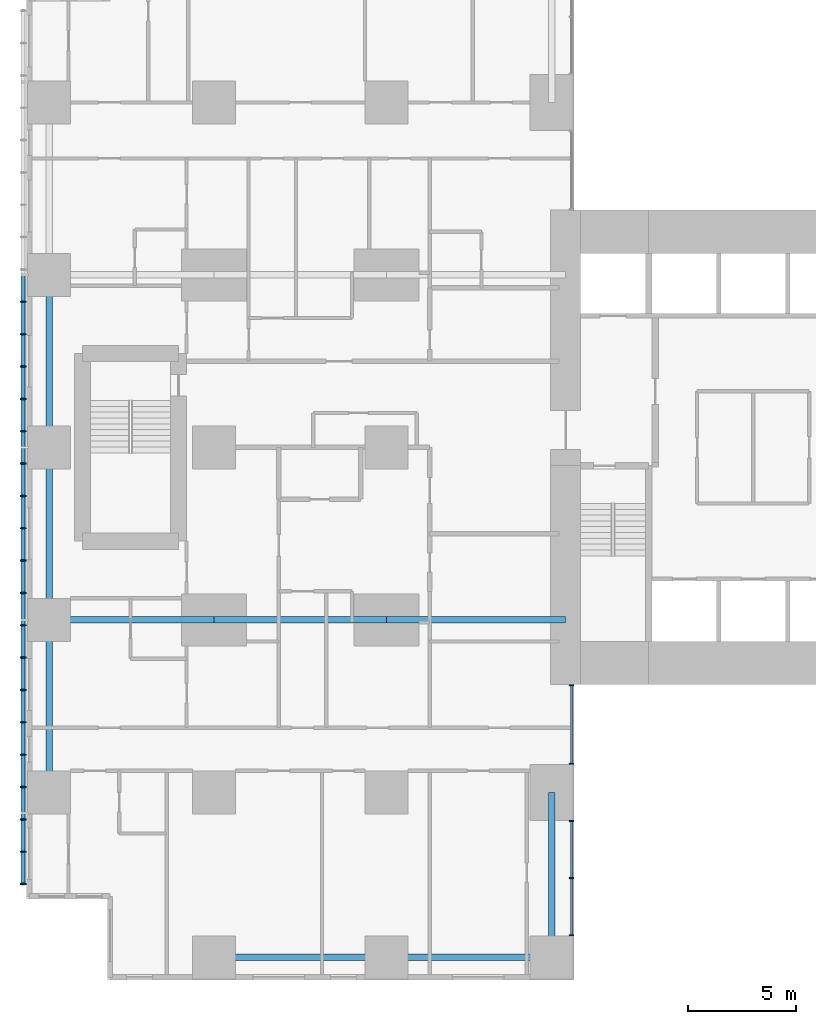
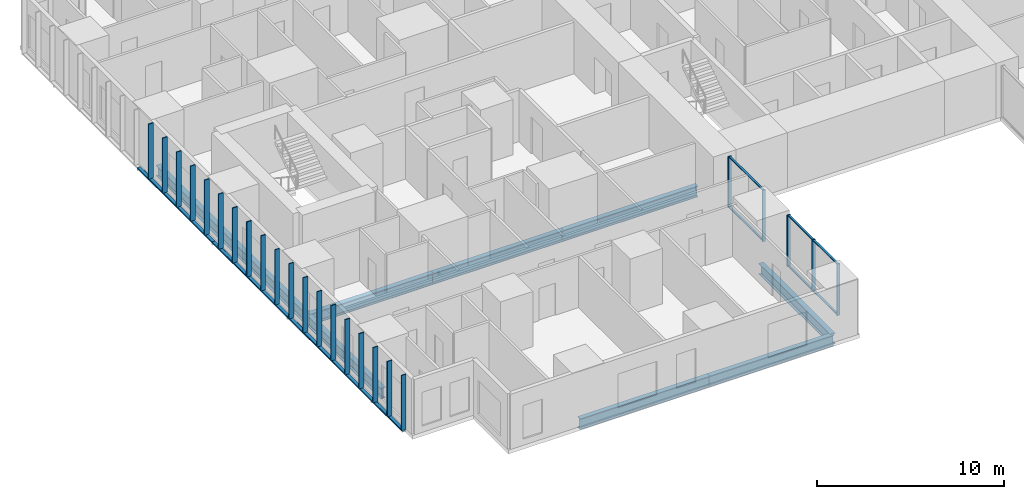
# One storey, part 2 of 20: 33 members, 9 beams, 2 elements without a shape of their own.
"""IFC4 building model written with IfcOpenShell, lengths in metres."""

from ifc_helpers import new_model, si_unit, direction, frame, origin, origin_2d, place, context, subcontext, project, spatial, rectangle, hollow_rectangle, i_section, extrude, material, layer, layer_set, material_profile, profile_set, type_object, element, aggregate, save


model = new_model("IFC4")

# Units and contexts
model_context = context("Model", 3, precision=1e-05, world=origin(), true_north=direction((0.0, 1.0)))
body_context = subcontext(model_context, "Body", "Model", "MODEL_VIEW")
ifc_project = project(units=[si_unit("LENGTHUNIT", "METRE"), si_unit("AREAUNIT", "SQUARE_METRE"), si_unit("VOLUMEUNIT", "CUBIC_METRE"), si_unit("PLANEANGLEUNIT", "RADIAN"), si_unit("MASSUNIT", "GRAM", prefix="KILO")], contexts=[model_context])

# Site, building, storey
site_placement = place(None, origin())
site = spatial("IfcSite", under=ifc_project, at=site_placement, CompositionType="ELEMENT")
building_placement = place(site_placement, origin())
building = spatial("IfcBuilding", under=site, at=building_placement, Name="Cleftline Residences", CompositionType="ELEMENT")
storey_placement = place(building_placement, frame((0.0, 0.0, 143.0)))
storey = spatial("IfcBuildingStorey", under=building, at=storey_placement, Name="L37", CompositionType="ELEMENT", Elevation=143.0)

# Members
ifc_material_1 = material(Name="Steel S355, hot-dip galvanised", Category="steel")
ifc_material_profile_1 = material_profile(ifc_material_1, hollow_rectangle(XDim=0.10009765625, YDim=0.199951171875, WallThickness=0.008056640625, InnerFilletRadius=0.008056640625, OuterFilletRadius=0.011962890625, at=origin_2d()))
ifc_profile_set_1 = profile_set([ifc_material_profile_1], Name="Steel S355, hot-dip galvanised")
member_type_1 = type_object("IfcMemberType", Name="BAGUETTE CARRIER RHS 200X100X8", PredefinedType="USERDEFINED", material=ifc_profile_set_1)
for number, where, z_axis, x_axis, name in (
    (1, (-0.85009765625, 32.0, -0.050048828125), (0.0, -1.0, 0.0), (0.0, 0.0, 1.0), "Baguette carrier"),
    (2, (-0.85009765625, 24.0, -0.050048828125), (0.0, -1.0, 0.0), (0.0, 0.0, 1.0), "Baguette carrier"),
):
    element("IfcMember", number, at=place(storey_placement, frame(where, z_axis=z_axis, x_axis=x_axis)), inside=storey, type_object=member_type_1, Name=name, ObjectType="BAGUETTE CARRIER", PredefinedType="USERDEFINED", context=body_context, shape_type="SweptSolid", body=[
        extrude(hollow_rectangle(XDim=0.10009765625, YDim=0.199951171875, WallThickness=0.008056640625, InnerFilletRadius=0.008056640625, OuterFilletRadius=0.011962890625, at=origin_2d()), origin(), (0.0, 0.0, 1.0), 8.0),
    ])
member_1_placement = place(storey_placement, frame((-0.85009765625, 16.0, -0.050048828125), z_axis=(0.0, -1.0, 0.0), x_axis=(0.0, 0.0, 1.0)))
element("IfcMember", 3, at=member_1_placement, inside=storey, type_object=member_type_1, Name="Baguette carrier", ObjectType="BAGUETTE CARRIER", PredefinedType="USERDEFINED", context=body_context, shape_type="SweptSolid", body=[
    extrude(hollow_rectangle(XDim=0.10009765625, YDim=0.199951171875, WallThickness=0.008056640625, InnerFilletRadius=0.008056640625, OuterFilletRadius=0.011962890625, at=origin_2d()), origin(), (0.0, 0.0, 1.0), 12.300048828125),
])

# Beams
ifc_material_2 = material(Name="Steel S355", Category="steel")
ifc_material_profile_2 = material_profile(ifc_material_2, i_section(OverallWidth=0.300048828125, OverallDepth=0.699951171875, WebThickness=0.01708984375, FlangeThickness=0.031982421875, FilletRadius=0.027099609375, at=origin_2d()))
ifc_profile_set_2 = profile_set([ifc_material_profile_2], Name="Steel S355")
beam_type_1 = type_object("IfcBeamType", Name="BEAM HEB 700", PredefinedType="BEAM", material=ifc_profile_set_2)
for number, where, z_axis, x_axis, name in (
    (4, (0.35009765625, 8.0, -0.60009765625), (0.0, 1.0, 0.0), (-1.0, 0.0, 0.0), "Edge beam"),
    (5, (0.35009765625, 16.0, -0.60009765625), (0.0, 1.0, 0.0), (-1.0, 0.0, 0.0), "Edge beam"),
    (6, (0.35009765625, 24.0, -0.60009765625), (0.0, 1.0, 0.0), (-1.0, 0.0, 0.0), "Edge beam"),
    (7, (8.0, 0.35009765625, -0.60009765625), (1.0, 0.0, 0.0), (0.0, 1.0, 0.0), "Edge beam"),
):
    element("IfcBeam", number, at=place(storey_placement, frame(where, z_axis=z_axis, x_axis=x_axis)), inside=storey, type_object=beam_type_1, Name=name, PredefinedType="BEAM", context=body_context, shape_type="SweptSolid", body=[
        extrude(i_section(OverallWidth=0.300048828125, OverallDepth=0.699951171875, WebThickness=0.01708984375, FlangeThickness=0.031982421875, FilletRadius=0.027099609375, at=origin_2d()), origin(), (0.0, 0.0, 1.0), 8.0),
    ])
for number, where, z_axis, x_axis, name in (
    (8, (16.0, 0.35009765625, -0.60009765625), (1.0, 0.0, 0.0), (0.0, 1.0, 0.0), "Edge beam"),
    (9, (23.64990234375, 0.35009765625, -0.60009765625), (0.0, 1.0, 0.0), (-1.0, 0.0, 0.0), "Edge beam"),
):
    element("IfcBeam", number, at=place(storey_placement, frame(where, z_axis=z_axis, x_axis=x_axis)), inside=storey, type_object=beam_type_1, Name=name, PredefinedType="BEAM", context=body_context, shape_type="SweptSolid", body=[
        extrude(i_section(OverallWidth=0.300048828125, OverallDepth=0.699951171875, WebThickness=0.01708984375, FlangeThickness=0.031982421875, FilletRadius=0.027099609375, at=origin_2d()), origin(), (0.0, 0.0, 1.0), 7.64990234375),
    ])
ifc_material_3 = material(Name="Steel S355", Category="steel")
ifc_material_profile_3 = material_profile(ifc_material_3, i_section(OverallWidth=0.303955078125, OverallDepth=0.716064453125, WebThickness=0.02099609375, FlangeThickness=0.0400390625, FilletRadius=0.027099609375, at=origin_2d()))
ifc_profile_set_3 = profile_set([ifc_material_profile_3], Name="Steel S355")
beam_type_2 = type_object("IfcBeamType", Name="BEAM HEM 700", PredefinedType="BEAM", material=ifc_profile_set_3)
beam_1_placement = place(storey_placement, frame((0.35009765625, 16.0, -0.60791015625), z_axis=(1.0, 0.0, 0.0), x_axis=(0.0, 1.0, 0.0)))
element("IfcBeam", 10, at=beam_1_placement, inside=storey, type_object=beam_type_2, Name="Band beam", PredefinedType="BEAM", context=body_context, shape_type="SweptSolid", body=[
    extrude(i_section(OverallWidth=0.303955078125, OverallDepth=0.716064453125, WebThickness=0.02099609375, FlangeThickness=0.0400390625, FilletRadius=0.027099609375, at=origin_2d()), origin(), (0.0, 0.0, 1.0), 7.64990234375),
])
beam_2_placement = place(storey_placement, frame((8.0, 16.0, -0.60791015625), z_axis=(1.0, 0.0, 0.0), x_axis=(0.0, 1.0, 0.0)))
element("IfcBeam", 11, at=beam_2_placement, inside=storey, type_object=beam_type_2, Name="Band beam", PredefinedType="BEAM", context=body_context, shape_type="SweptSolid", body=[
    extrude(i_section(OverallWidth=0.303955078125, OverallDepth=0.716064453125, WebThickness=0.02099609375, FlangeThickness=0.0400390625, FilletRadius=0.027099609375, at=origin_2d()), origin(), (0.0, 0.0, 1.0), 8.0),
])
beam_3_placement = place(storey_placement, frame((16.0, 16.0, -0.60791015625), z_axis=(1.0, 0.0, 0.0), x_axis=(0.0, 1.0, 0.0)))
element("IfcBeam", 12, at=beam_3_placement, inside=storey, type_object=beam_type_2, Name="Band beam", PredefinedType="BEAM", context=body_context, shape_type="SweptSolid", body=[
    extrude(i_section(OverallWidth=0.303955078125, OverallDepth=0.716064453125, WebThickness=0.02099609375, FlangeThickness=0.0400390625, FilletRadius=0.027099609375, at=origin_2d()), origin(), (0.0, 0.0, 1.0), 8.300048828125),
])

# Curtain wall, members
ifc_material_4 = material(Name="Aluminium framed curtain wall", Category="aluminium")
ifc_layer = layer(ifc_material_4, 0.199951171875)
ifc_layer_set = layer_set([ifc_layer], Name="CW1 CLEFT GLAZING")
curtain_wall_type = type_object("IfcCurtainWallType", Name="CW1 CLEFT GLAZING", PredefinedType="NOTDEFINED", material=ifc_layer_set)
curtain_wall_1_placement = place(storey_placement, origin())
curtain_wall_1 = element("IfcCurtainWall", 13, at=curtain_wall_1_placement, inside=storey, type_object=curtain_wall_type, Name="Curtain wall CW1", PredefinedType="NOTDEFINED")
ifc_material_5 = material(Name="Aluminium mullion", Category="aluminium")
ifc_material_profile_4 = material_profile(ifc_material_5, rectangle(XDim=0.199951171875, YDim=0.06005859375, at=origin_2d()))
ifc_profile_set_4 = profile_set([ifc_material_profile_4], Name="Aluminium mullion")
member_type_2 = type_object("IfcMemberType", Name="CW1 MULLION", PredefinedType="MULLION", material=ifc_profile_set_4)
member_2_placement = place(storey_placement, frame((24.574951171875, 1.3798828125, 0.0), z_axis=(0.0, 0.0, 1.0), x_axis=(-1.0, 0.0, 0.0)))
member_2 = element("IfcMember", 14, at=member_2_placement, type_object=member_type_2, Name="CW1 mullion 1", PredefinedType="MULLION", context=body_context, shape_type="SweptSolid", body=[
    extrude(rectangle(XDim=0.199951171875, YDim=0.06005859375, at=origin_2d()), origin(), (0.0, 0.0, 1.0), 3.35009765625),
])
member_3_placement = place(storey_placement, frame((24.574951171875, 4.02490234375, 0.0), z_axis=(0.0, 0.0, 1.0), x_axis=(-1.0, 0.0, 0.0)))
member_3 = element("IfcMember", 15, at=member_3_placement, type_object=member_type_2, Name="CW1 mullion 2", PredefinedType="MULLION", context=body_context, shape_type="SweptSolid", body=[
    extrude(rectangle(XDim=0.199951171875, YDim=0.06005859375, at=origin_2d()), origin(), (0.0, 0.0, 1.0), 3.35009765625),
])
member_4_placement = place(storey_placement, frame((24.574951171875, 6.669921875, 0.0), z_axis=(0.0, 0.0, 1.0), x_axis=(-1.0, 0.0, 0.0)))
member_4 = element("IfcMember", 16, at=member_4_placement, type_object=member_type_2, Name="CW1 mullion 3", PredefinedType="MULLION", context=body_context, shape_type="SweptSolid", body=[
    extrude(rectangle(XDim=0.199951171875, YDim=0.06005859375, at=origin_2d()), origin(), (0.0, 0.0, 1.0), 3.35009765625),
])

curtain_wall_2_placement = place(storey_placement, origin())
curtain_wall_2 = element("IfcCurtainWall", 17, at=curtain_wall_2_placement, inside=storey, type_object=curtain_wall_type, Name="Curtain wall CW1", PredefinedType="NOTDEFINED")
member_5_placement = place(storey_placement, frame((24.574951171875, 9.330078125, 0.0), z_axis=(0.0, 0.0, 1.0), x_axis=(-1.0, 0.0, 0.0)))
member_5 = element("IfcMember", 18, at=member_5_placement, type_object=member_type_2, Name="CW1 mullion 1", PredefinedType="MULLION", context=body_context, shape_type="SweptSolid", body=[
    extrude(rectangle(XDim=0.199951171875, YDim=0.06005859375, at=origin_2d()), origin(), (0.0, 0.0, 1.0), 3.35009765625),
])
member_6_placement = place(storey_placement, frame((24.574951171875, 12.969970703125, 0.0), z_axis=(0.0, 0.0, 1.0), x_axis=(-1.0, 0.0, 0.0)))
member_6 = element("IfcMember", 19, at=member_6_placement, type_object=member_type_2, Name="CW1 mullion 2", PredefinedType="MULLION", context=body_context, shape_type="SweptSolid", body=[
    extrude(rectangle(XDim=0.199951171875, YDim=0.06005859375, at=origin_2d()), origin(), (0.0, 0.0, 1.0), 3.35009765625),
])

# Member
ifc_material_6 = material(Name="Aluminium transom", Category="aluminium")
ifc_material_profile_5 = material_profile(ifc_material_6, rectangle(XDim=0.1201171875, YDim=0.06005859375, at=origin_2d()))
ifc_profile_set_5 = profile_set([ifc_material_profile_5], Name="Aluminium transom")
member_type_3 = type_object("IfcMemberType", Name="CW1 TRANSOM", PredefinedType="USERDEFINED", material=ifc_profile_set_5)
member_7_placement = place(storey_placement, frame((24.574951171875, 1.409912109375, 0.030029296875), z_axis=(0.0, 1.0, 0.0), x_axis=(-1.0, 0.0, 0.0)))
member_7 = element("IfcMember", 20, at=member_7_placement, type_object=member_type_3, Name="CW1 transom 1.1", ObjectType="TRANSOM", PredefinedType="USERDEFINED", context=body_context, shape_type="SweptSolid", body=[
    extrude(rectangle(XDim=0.1201171875, YDim=0.06005859375, at=origin_2d()), origin(), (0.0, 0.0, 1.0), 2.585205078125),
])

member_8_placement = place(storey_placement, frame((24.574951171875, 1.409912109375, 3.320068359375), z_axis=(0.0, 1.0, 0.0), x_axis=(-1.0, 0.0, 0.0)))
member_8 = element("IfcMember", 21, at=member_8_placement, type_object=member_type_3, Name="CW1 transom 1.2", ObjectType="TRANSOM", PredefinedType="USERDEFINED", context=body_context, shape_type="SweptSolid", body=[
    extrude(rectangle(XDim=0.1201171875, YDim=0.06005859375, at=origin_2d()), origin(), (0.0, 0.0, 1.0), 2.585205078125),
])

member_9_placement = place(storey_placement, frame((24.574951171875, 4.054931640625, 0.030029296875), z_axis=(0.0, 1.0, 0.0), x_axis=(-1.0, 0.0, 0.0)))
member_9 = element("IfcMember", 22, at=member_9_placement, type_object=member_type_3, Name="CW1 transom 2.1", ObjectType="TRANSOM", PredefinedType="USERDEFINED", context=body_context, shape_type="SweptSolid", body=[
    extrude(rectangle(XDim=0.1201171875, YDim=0.06005859375, at=origin_2d()), origin(), (0.0, 0.0, 1.0), 2.5849609375),
])

member_10_placement = place(storey_placement, frame((24.574951171875, 4.054931640625, 3.320068359375), z_axis=(0.0, 1.0, 0.0), x_axis=(-1.0, 0.0, 0.0)))
member_10 = element("IfcMember", 23, at=member_10_placement, type_object=member_type_3, Name="CW1 transom 2.2", ObjectType="TRANSOM", PredefinedType="USERDEFINED", context=body_context, shape_type="SweptSolid", body=[
    extrude(rectangle(XDim=0.1201171875, YDim=0.06005859375, at=origin_2d()), origin(), (0.0, 0.0, 1.0), 2.5849609375),
])

aggregate(curtain_wall_1, [member_2, member_3, member_4, member_7, member_8, member_9, member_10])

member_11_placement = place(storey_placement, frame((24.574951171875, 9.360107421875, 0.030029296875), z_axis=(0.0, 1.0, 0.0), x_axis=(-1.0, 0.0, 0.0)))
member_11 = element("IfcMember", 24, at=member_11_placement, type_object=member_type_3, Name="CW1 transom 1.1", ObjectType="TRANSOM", PredefinedType="USERDEFINED", context=body_context, shape_type="SweptSolid", body=[
    extrude(rectangle(XDim=0.1201171875, YDim=0.06005859375, at=origin_2d()), origin(), (0.0, 0.0, 1.0), 3.579833984375),
])

member_12_placement = place(storey_placement, frame((24.574951171875, 9.360107421875, 3.320068359375), z_axis=(0.0, 1.0, 0.0), x_axis=(-1.0, 0.0, 0.0)))
member_12 = element("IfcMember", 25, at=member_12_placement, type_object=member_type_3, Name="CW1 transom 1.2", ObjectType="TRANSOM", PredefinedType="USERDEFINED", context=body_context, shape_type="SweptSolid", body=[
    extrude(rectangle(XDim=0.1201171875, YDim=0.06005859375, at=origin_2d()), origin(), (0.0, 0.0, 1.0), 3.579833984375),
])

aggregate(curtain_wall_2, [member_5, member_6, member_11, member_12])

# Members
ifc_material_7 = material(Name="Extruded terracotta", Category="masonry")
ifc_material_profile_6 = material_profile(ifc_material_7, rectangle(XDim=0.06005859375, YDim=0.300048828125, at=origin_2d()))
ifc_profile_set_6 = profile_set([ifc_material_profile_6], Name="Extruded terracotta")
member_type_4 = type_object("IfcMemberType", Name="TERRACOTTA BAGUETTE 60X300", PredefinedType="USERDEFINED", material=ifc_profile_set_6)
for number, where, z_axis, x_axis, name in (
    (26, (-0.85009765625, 30.75, 0.0), (0.0, 0.0, 1.0), (0.0, 1.0, 0.0), "Terracotta baguette"),
    (27, (-0.85009765625, 29.25, 0.0), (0.0, 0.0, 1.0), (0.0, 1.0, 0.0), "Terracotta baguette"),
    (28, (-0.85009765625, 27.75, 0.0), (0.0, 0.0, 1.0), (0.0, 1.0, 0.0), "Terracotta baguette"),
    (29, (-0.85009765625, 26.25, 0.0), (0.0, 0.0, 1.0), (0.0, 1.0, 0.0), "Terracotta baguette"),
    (30, (-0.85009765625, 24.75, 0.0), (0.0, 0.0, 1.0), (0.0, 1.0, 0.0), "Terracotta baguette"),
    (31, (-0.85009765625, 23.25, 0.0), (0.0, 0.0, 1.0), (0.0, 1.0, 0.0), "Terracotta baguette"),
    (32, (-0.85009765625, 21.75, 0.0), (0.0, 0.0, 1.0), (0.0, 1.0, 0.0), "Terracotta baguette"),
    (33, (-0.85009765625, 20.25, 0.0), (0.0, 0.0, 1.0), (0.0, 1.0, 0.0), "Terracotta baguette"),
    (34, (-0.85009765625, 18.75, 0.0), (0.0, 0.0, 1.0), (0.0, 1.0, 0.0), "Terracotta baguette"),
    (35, (-0.85009765625, 17.25, 0.0), (0.0, 0.0, 1.0), (0.0, 1.0, 0.0), "Terracotta baguette"),
    (36, (-0.85009765625, 15.75, 0.0), (0.0, 0.0, 1.0), (0.0, 1.0, 0.0), "Terracotta baguette"),
    (37, (-0.85009765625, 14.25, 0.0), (0.0, 0.0, 1.0), (0.0, 1.0, 0.0), "Terracotta baguette"),
    (38, (-0.85009765625, 12.75, 0.0), (0.0, 0.0, 1.0), (0.0, 1.0, 0.0), "Terracotta baguette"),
    (39, (-0.85009765625, 11.25, 0.0), (0.0, 0.0, 1.0), (0.0, 1.0, 0.0), "Terracotta baguette"),
    (40, (-0.85009765625, 9.75, 0.0), (0.0, 0.0, 1.0), (0.0, 1.0, 0.0), "Terracotta baguette"),
    (41, (-0.85009765625, 8.25, 0.0), (0.0, 0.0, 1.0), (0.0, 1.0, 0.0), "Terracotta baguette"),
    (42, (-0.85009765625, 6.75, 0.0), (0.0, 0.0, 1.0), (0.0, 1.0, 0.0), "Terracotta baguette"),
    (43, (-0.85009765625, 5.25, 0.0), (0.0, 0.0, 1.0), (0.0, 1.0, 0.0), "Terracotta baguette"),
    (44, (-0.85009765625, 3.75, 0.0), (0.0, 0.0, 1.0), (0.0, 1.0, 0.0), "Terracotta baguette"),
):
    element("IfcMember", number, at=place(storey_placement, frame(where, z_axis=z_axis, x_axis=x_axis)), inside=storey, type_object=member_type_4, Name=name, ObjectType="BAGUETTE", PredefinedType="USERDEFINED", context=body_context, shape_type="SweptSolid", body=[
        extrude(rectangle(XDim=0.06005859375, YDim=0.300048828125, at=origin_2d()), origin(), (0.0, 0.0, 1.0), 3.60009765625),
    ])

save(model, "model.ifc")
